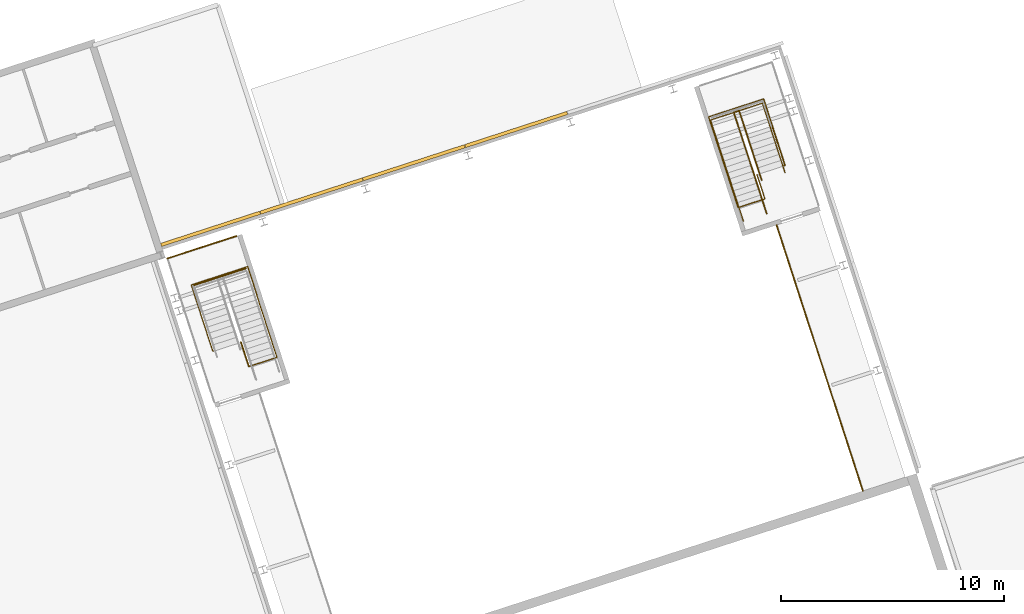
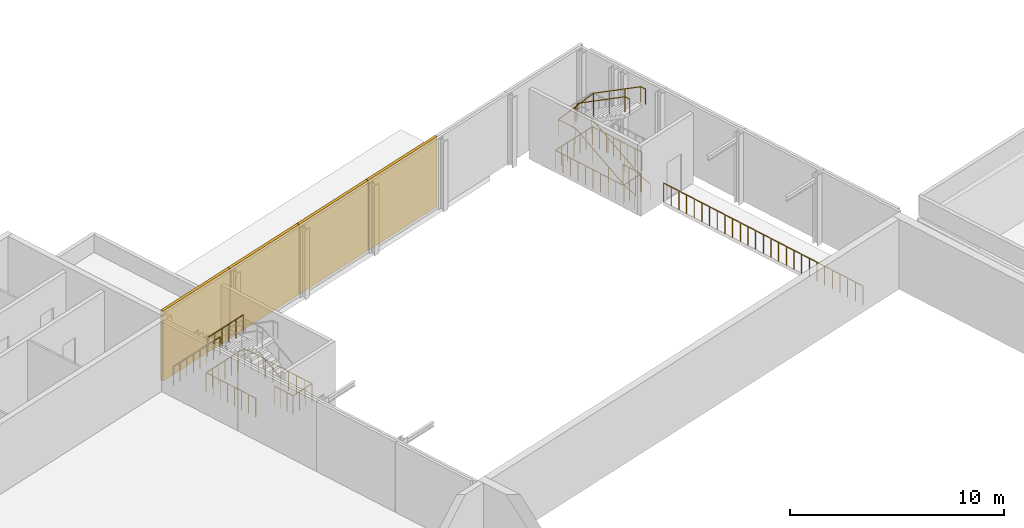
# One storey, part 69 of 72: 9 railings, 4 coverings.
"""IFC4 building model written with IfcOpenShell, lengths in metres."""

from ifc_helpers import new_model, si_unit, direction, frame, origin, origin_2d, place, context, subcontext, project, spatial, polyline, circle, outline, extrude, material, layer, layer_set, type_object, element, save


model = new_model("IFC4")

# Units and contexts
model_context = context("Model", 3, precision=1e-05, world=origin(), true_north=direction((0.0, 1.0)))
body_context = subcontext(model_context, "Body", "Model", "MODEL_VIEW")
ifc_project = project(units=[si_unit("LENGTHUNIT", "METRE"), si_unit("AREAUNIT", "SQUARE_METRE"), si_unit("VOLUMEUNIT", "CUBIC_METRE"), si_unit("PLANEANGLEUNIT", "RADIAN"), si_unit("MASSUNIT", "GRAM", prefix="KILO")], contexts=[model_context])

# Site, building, storey
site_placement = place(None, origin())
site = spatial("IfcSite", under=ifc_project, at=site_placement, CompositionType="ELEMENT")
building_placement = place(site_placement, origin())
building = spatial("IfcBuilding", under=site, at=building_placement, Name="Tuart Plaza Theatre", CompositionType="ELEMENT")
storey_placement = place(building_placement, frame((0.0, 0.0, 13.5)))
storey = spatial("IfcBuildingStorey", under=building, at=storey_placement, Name="L03", CompositionType="ELEMENT", Elevation=13.5)

# Coverings
ifc_material_1 = material(Name="Zinc")
ifc_layer = layer(ifc_material_1, 0.14990234375)
ifc_layer_set = layer_set([ifc_layer], Name="COVERING-ZINC-RAINSCREEN150")
covering_type = type_object("IfcCoveringType", Name="COVERING-ZINC-RAINSCREEN150", PredefinedType="CLADDING", material=ifc_layer_set)
covering_1_placement = place(storey_placement, origin())
element("IfcCovering", 1, at=covering_1_placement, inside=storey, type_object=covering_type, Name="CL16", PredefinedType="CLADDING", context=body_context, shape_type="SweptSolid", body=[
    extrude(outline(polyline([(35.150634765625, 88.18701171875), (39.59521484375, 89.631103515625), (39.6416015625, 89.48828125), (35.197021484375, 88.044189453125), (35.150634765625, 88.18701171875)])), origin(), (0.0, 0.0, 1.0), 4.0),
])
covering_2_placement = place(storey_placement, origin())
element("IfcCovering", 2, at=covering_2_placement, inside=storey, type_object=covering_type, Name="CL17", PredefinedType="CLADDING", context=body_context, shape_type="SweptSolid", body=[
    extrude(outline(polyline([(39.6142578125, 89.63720703125), (44.192138671875, 91.12451171875), (44.23828125, 90.98193359375), (39.66064453125, 89.494384765625), (39.6142578125, 89.63720703125)])), origin(), (0.0, 0.0, 1.0), 4.0),
])
covering_3_placement = place(storey_placement, origin())
element("IfcCovering", 3, at=covering_3_placement, inside=storey, type_object=covering_type, Name="CL18", PredefinedType="CLADDING", context=body_context, shape_type="SweptSolid", body=[
    extrude(outline(polyline([(44.211181640625, 91.130859375), (48.788818359375, 92.6181640625), (48.835205078125, 92.4755859375), (44.25732421875, 90.988037109375), (44.211181640625, 91.130859375)])), origin(), (0.0, 0.0, 1.0), 4.0),
])
covering_4_placement = place(storey_placement, origin())
element("IfcCovering", 4, at=covering_4_placement, inside=storey, type_object=covering_type, Name="CL19", PredefinedType="CLADDING", context=body_context, shape_type="SweptSolid", body=[
    extrude(outline(polyline([(48.807861328125, 92.624267578125), (53.385498046875, 94.11181640625), (53.431884765625, 93.968994140625), (48.854248046875, 92.481689453125), (48.807861328125, 92.624267578125)])), origin(), (0.0, 0.0, 1.0), 4.0),
])

# Railings
ifc_material_2 = material(Name="Steel Grade C350L0", Category="steel")
railing_type_1 = type_object("IfcRailingType", Name="RAILING Guard 1100", PredefinedType="GUARDRAIL", material=ifc_material_2)
railing_1_placement = place(storey_placement, frame((39.114013671875, 82.65576171875, 0.0)))
element("IfcRailing", 5, at=railing_1_placement, inside=storey, type_object=railing_type_1, Name="GR56", PredefinedType="GUARDRAIL", context=body_context, shape_type="SweptSolid", body=[
    extrude(circle(Radius=0.02490234375, at=origin_2d()), frame((0.0, 0.0, 1.0751953125), z_axis=(-0.309181642965, 0.951003002968, 0.0), x_axis=(-0.951003002968, -0.309181642965, 0.0)), (0.0, 0.0, 1.0), 1.1552734375),
    extrude(circle(Radius=0.02001953125, at=origin_2d()), origin(), (0.0, 0.0, 1.0), 1.050048828125),
    extrude(circle(Radius=0.02001953125, at=origin_2d()), frame((-0.119140625, 0.3662109375, 0.0)), (0.0, 0.0, 1.0), 1.050048828125),
    extrude(circle(Radius=0.02001953125, at=origin_2d()), frame((-0.238037109375, 0.732421875, 0.0)), (0.0, 0.0, 1.0), 1.050048828125),
    extrude(circle(Radius=0.02001953125, at=origin_2d()), frame((-0.357177734375, 1.0986328125, 0.0)), (0.0, 0.0, 1.0), 1.050048828125),
])
railing_2_placement = place(storey_placement, frame((37.5380859375, 83.363525390625, 0.0)))
element("IfcRailing", 6, at=railing_2_placement, inside=storey, type_object=railing_type_1, Name="GR57", PredefinedType="GUARDRAIL", context=body_context, shape_type="SweptSolid", body=[
    extrude(circle(Radius=0.02490234375, at=origin_2d()), frame((0.0, 0.0, 1.0751953125), z_axis=(-0.951351351351, -0.308108108108, 0.0), x_axis=(0.308108108108, -0.951351351351, 0.0)), (0.0, 0.0, 1.0), 0.045166015625),
    extrude(circle(Radius=0.02490234375, at=origin_2d()), frame((-0.04296875, -0.013916015625, 1.0751953125), z_axis=(-0.30901175762, 0.951058217804, 0.0), x_axis=(-0.951058217804, -0.30901175762, 0.0)), (0.0, 0.0, 1.0), 3.119873046875),
    extrude(circle(Radius=0.02490234375, at=origin_2d()), frame((-1.007080078125, 2.953369140625, 1.0751953125), z_axis=(0.951065031201, 0.308990786962, 0.0), x_axis=(-0.308990786962, 0.951065031201, 0.0)), (0.0, 0.0, 1.0), 2.6650390625),
    extrude(circle(Radius=0.02490234375, at=origin_2d()), frame((1.527587890625, 3.77685546875, 1.0751953125), z_axis=(0.309115126356, -0.951024625684, 0.0), x_axis=(0.951024625684, 0.309115126356, 0.0)), (0.0, 0.0, 1.0), 1.330078125),
    extrude(circle(Radius=0.02490234375, at=origin_2d()), frame((1.938720703125, 2.511962890625, 1.0751953125), z_axis=(-0.951860557857, -0.306531366089, 0.0), x_axis=(0.306531366089, -0.951860557857, 0.0)), (0.0, 0.0, 1.0), 0.01513671875),
    extrude(circle(Radius=0.02490234375, at=origin_2d()), frame((1.92431640625, 2.50732421875, 1.0751953125), z_axis=(0.309018704887, -0.951055960514, 0.0), x_axis=(0.951055960514, 0.309018704887, 0.0)), (0.0, 0.0, 1.0), 2.949951171875),
    extrude(circle(Radius=0.02490234375, at=origin_2d()), frame((2.8359375, -0.29833984375, 1.0751953125), z_axis=(-0.951051671908, -0.309031903466, 0.0), x_axis=(0.309031903466, -0.951051671908, 0.0)), (0.0, 0.0, 1.0), 1.324951171875),
    extrude(circle(Radius=0.02001953125, at=origin_2d()), origin(), (0.0, 0.0, 1.0), 1.050048828125),
    extrude(circle(Radius=0.02001953125, at=origin_2d()), frame((-0.04296875, -0.013916015625, 0.0)), (0.0, 0.0, 1.0), 1.050048828125),
    extrude(circle(Radius=0.02001953125, at=origin_2d()), frame((-0.1806640625, 0.409912109375, 0.0)), (0.0, 0.0, 1.0), 1.050048828125),
    extrude(circle(Radius=0.02001953125, at=origin_2d()), frame((-0.318359375, 0.833984375, 0.0)), (0.0, 0.0, 1.0), 1.050048828125),
    extrude(circle(Radius=0.02001953125, at=origin_2d()), frame((-0.4560546875, 1.2578125, 0.0)), (0.0, 0.0, 1.0), 1.050048828125),
    extrude(circle(Radius=0.02001953125, at=origin_2d()), frame((-0.593994140625, 1.681640625, 0.0)), (0.0, 0.0, 1.0), 1.050048828125),
    extrude(circle(Radius=0.02001953125, at=origin_2d()), frame((-0.731689453125, 2.10546875, 0.0)), (0.0, 0.0, 1.0), 1.050048828125),
    extrude(circle(Radius=0.02001953125, at=origin_2d()), frame((-0.869384765625, 2.529541015625, 0.0)), (0.0, 0.0, 1.0), 1.050048828125),
    extrude(circle(Radius=0.02001953125, at=origin_2d()), frame((-1.007080078125, 2.953369140625, 0.0)), (0.0, 0.0, 1.0), 1.050048828125),
    extrude(circle(Radius=0.02001953125, at=origin_2d()), frame((-0.584716796875, 3.090576171875, 0.0)), (0.0, 0.0, 1.0), 1.050048828125),
    extrude(circle(Radius=0.02001953125, at=origin_2d()), frame((-0.162109375, 3.227783203125, 0.0)), (0.0, 0.0, 1.0), 1.050048828125),
    extrude(circle(Radius=0.02001953125, at=origin_2d()), frame((0.26025390625, 3.365234375, 0.0)), (0.0, 0.0, 1.0), 1.050048828125),
    extrude(circle(Radius=0.02001953125, at=origin_2d()), frame((0.6826171875, 3.50244140625, 0.0)), (0.0, 0.0, 1.0), 1.050048828125),
    extrude(circle(Radius=0.02001953125, at=origin_2d()), frame((1.105224609375, 3.6396484375, 0.0)), (0.0, 0.0, 1.0), 1.050048828125),
    extrude(circle(Radius=0.02001953125, at=origin_2d()), frame((1.527587890625, 3.77685546875, 0.0)), (0.0, 0.0, 1.0), 1.050048828125),
    extrude(circle(Radius=0.02001953125, at=origin_2d()), frame((1.66455078125, 3.355224609375, 0.0)), (0.0, 0.0, 1.0), 1.050048828125),
    extrude(circle(Radius=0.02001953125, at=origin_2d()), frame((1.8017578125, 2.93359375, 0.0)), (0.0, 0.0, 1.0), 1.050048828125),
    extrude(circle(Radius=0.02001953125, at=origin_2d()), frame((1.938720703125, 2.511962890625, 0.0)), (0.0, 0.0, 1.0), 1.050048828125),
    extrude(circle(Radius=0.02001953125, at=origin_2d()), frame((1.92431640625, 2.50732421875, 0.0)), (0.0, 0.0, 1.0), 1.050048828125),
    extrude(circle(Radius=0.02001953125, at=origin_2d()), frame((2.076171875, 2.039794921875, 0.0)), (0.0, 0.0, 1.0), 1.050048828125),
    extrude(circle(Radius=0.02001953125, at=origin_2d()), frame((2.228271484375, 1.572021484375, 0.0)), (0.0, 0.0, 1.0), 1.050048828125),
    extrude(circle(Radius=0.02001953125, at=origin_2d()), frame((2.380126953125, 1.1044921875, 0.0)), (0.0, 0.0, 1.0), 1.050048828125),
    extrude(circle(Radius=0.02001953125, at=origin_2d()), frame((2.531982421875, 0.636962890625, 0.0)), (0.0, 0.0, 1.0), 1.050048828125),
    extrude(circle(Radius=0.02001953125, at=origin_2d()), frame((2.68408203125, 0.169189453125, 0.0)), (0.0, 0.0, 1.0), 1.050048828125),
    extrude(circle(Radius=0.02001953125, at=origin_2d()), frame((2.8359375, -0.29833984375, 0.0)), (0.0, 0.0, 1.0), 1.050048828125),
    extrude(circle(Radius=0.02001953125, at=origin_2d()), frame((2.416015625, -0.434814453125, 0.0)), (0.0, 0.0, 1.0), 1.050048828125),
    extrude(circle(Radius=0.02001953125, at=origin_2d()), frame((1.995849609375, -0.5712890625, 0.0)), (0.0, 0.0, 1.0), 1.050048828125),
    extrude(circle(Radius=0.02001953125, at=origin_2d()), frame((1.575927734375, -0.707763671875, 0.0)), (0.0, 0.0, 1.0), 1.050048828125),
])
railing_3_placement = place(storey_placement, frame((38.967041015625, 87.055908203125, 2.0)))
element("IfcRailing", 7, at=railing_3_placement, inside=storey, type_object=railing_type_1, Name="GR62", PredefinedType="GUARDRAIL", context=body_context, shape_type="SweptSolid", body=[
    extrude(circle(Radius=0.02490234375, at=origin_2d()), frame((0.0, 0.0, 1.0751953125), z_axis=(-0.951062826572, -0.308997572666, 0.0), x_axis=(0.308997572666, -0.951062826572, 0.0)), (0.0, 0.0, 1.0), 2.4951171875),
    extrude(circle(Radius=0.02001953125, at=origin_2d()), origin(), (0.0, 0.0, 1.0), 1.050048828125),
    extrude(circle(Radius=0.02001953125, at=origin_2d()), frame((-0.474609375, -0.154296875, 0.0)), (0.0, 0.0, 1.0), 1.050048828125),
    extrude(circle(Radius=0.02001953125, at=origin_2d()), frame((-0.94921875, -0.308349609375, 0.0)), (0.0, 0.0, 1.0), 1.050048828125),
    extrude(circle(Radius=0.02001953125, at=origin_2d()), frame((-1.423828125, -0.462646484375, 0.0)), (0.0, 0.0, 1.0), 1.050048828125),
    extrude(circle(Radius=0.02001953125, at=origin_2d()), frame((-1.8984375, -0.61669921875, 0.0)), (0.0, 0.0, 1.0), 1.050048828125),
    extrude(circle(Radius=0.02001953125, at=origin_2d()), frame((-2.373046875, -0.77099609375, 0.0)), (0.0, 0.0, 1.0), 1.050048828125),
])
railing_4_placement = place(storey_placement, frame((62.21435546875, 94.661865234375, 0.0)))
element("IfcRailing", 8, at=railing_4_placement, inside=storey, type_object=railing_type_1, Name="GR80", PredefinedType="GUARDRAIL", context=body_context, shape_type="SweptSolid", body=[
    extrude(circle(Radius=0.02490234375, at=origin_2d()), frame((0.0, 0.0, 1.0751953125), z_axis=(0.30901175762, -0.951058217804, 0.0), x_axis=(0.951058217804, 0.30901175762, 0.0)), (0.0, 0.0, 1.0), 3.119873046875),
    extrude(circle(Radius=0.02490234375, at=origin_2d()), frame((0.964111328125, -2.96728515625, 1.0751953125), z_axis=(-0.950834228174, -0.309700291463, 0.0), x_axis=(0.309700291463, -0.950834228174, 0.0)), (0.0, 0.0, 1.0), 0.044921875),
    extrude(circle(Radius=0.02001953125, at=origin_2d()), origin(), (0.0, 0.0, 1.0), 1.050048828125),
    extrude(circle(Radius=0.02001953125, at=origin_2d()), frame((0.1376953125, -0.423828125, 0.0)), (0.0, 0.0, 1.0), 1.050048828125),
    extrude(circle(Radius=0.02001953125, at=origin_2d()), frame((0.275390625, -0.847900390625, 0.0)), (0.0, 0.0, 1.0), 1.050048828125),
    extrude(circle(Radius=0.02001953125, at=origin_2d()), frame((0.4130859375, -1.271728515625, 0.0)), (0.0, 0.0, 1.0), 1.050048828125),
    extrude(circle(Radius=0.02001953125, at=origin_2d()), frame((0.551025390625, -1.695556640625, 0.0)), (0.0, 0.0, 1.0), 1.050048828125),
    extrude(circle(Radius=0.02001953125, at=origin_2d()), frame((0.688720703125, -2.119384765625, 0.0)), (0.0, 0.0, 1.0), 1.050048828125),
    extrude(circle(Radius=0.02001953125, at=origin_2d()), frame((0.826416015625, -2.54345703125, 0.0)), (0.0, 0.0, 1.0), 1.050048828125),
    extrude(circle(Radius=0.02001953125, at=origin_2d()), frame((0.964111328125, -2.96728515625, 0.0)), (0.0, 0.0, 1.0), 1.050048828125),
    extrude(circle(Radius=0.02001953125, at=origin_2d()), frame((0.92138671875, -2.981201171875, 0.0)), (0.0, 0.0, 1.0), 1.050048828125),
])
railing_5_placement = place(storey_placement, frame((61.919921875, 91.280517578125, 0.0)))
element("IfcRailing", 9, at=railing_5_placement, inside=storey, type_object=railing_type_1, Name="GR81", PredefinedType="GUARDRAIL", context=body_context, shape_type="SweptSolid", body=[
    extrude(circle(Radius=0.02490234375, at=origin_2d()), frame((0.0, 0.0, 1.0751953125), z_axis=(0.308990492345, -0.951065126918, 0.0), x_axis=(0.951065126918, 0.308990492345, 0.0)), (0.0, 0.0, 1.0), 1.1552734375),
    extrude(circle(Radius=0.02490234375, at=origin_2d()), frame((0.35693359375, -1.0986328125, 1.0751953125), z_axis=(-0.95106810125, -0.308981337277, 0.0), x_axis=(0.308981337277, -0.95106810125, 0.0)), (0.0, 0.0, 1.0), 1.26513671875),
    extrude(circle(Radius=0.02490234375, at=origin_2d()), frame((-0.84619140625, -1.489501953125, 1.0751953125), z_axis=(-0.308997073695, 0.951062988686, 0.0), x_axis=(-0.951062988686, -0.308997073695, 0.0)), (0.0, 0.0, 1.0), 4.280029296875),
    extrude(circle(Radius=0.02490234375, at=origin_2d()), frame((-2.168701171875, 2.5810546875, 1.0751953125), z_axis=(0.951059697131, 0.309007204598, 0.0), x_axis=(-0.309007204598, 0.951059697131, 0.0)), (0.0, 0.0, 1.0), 2.58984375),
    extrude(circle(Radius=0.02001953125, at=origin_2d()), origin(), (0.0, 0.0, 1.0), 1.050048828125),
    extrude(circle(Radius=0.02001953125, at=origin_2d()), frame((0.118896484375, -0.3662109375, 0.0)), (0.0, 0.0, 1.0), 1.050048828125),
    extrude(circle(Radius=0.02001953125, at=origin_2d()), frame((0.238037109375, -0.732421875, 0.0)), (0.0, 0.0, 1.0), 1.050048828125),
    extrude(circle(Radius=0.02001953125, at=origin_2d()), frame((0.35693359375, -1.0986328125, 0.0)), (0.0, 0.0, 1.0), 1.050048828125),
    extrude(circle(Radius=0.02001953125, at=origin_2d()), frame((-0.044189453125, -1.22900390625, 0.0)), (0.0, 0.0, 1.0), 1.050048828125),
    extrude(circle(Radius=0.02001953125, at=origin_2d()), frame((-0.445068359375, -1.359130859375, 0.0)), (0.0, 0.0, 1.0), 1.050048828125),
    extrude(circle(Radius=0.02001953125, at=origin_2d()), frame((-0.84619140625, -1.489501953125, 0.0)), (0.0, 0.0, 1.0), 1.050048828125),
    extrude(circle(Radius=0.02001953125, at=origin_2d()), frame((-0.9931640625, -1.037109375, 0.0)), (0.0, 0.0, 1.0), 1.050048828125),
    extrude(circle(Radius=0.02001953125, at=origin_2d()), frame((-1.14013671875, -0.5849609375, 0.0)), (0.0, 0.0, 1.0), 1.050048828125),
    extrude(circle(Radius=0.02001953125, at=origin_2d()), frame((-1.287109375, -0.132568359375, 0.0)), (0.0, 0.0, 1.0), 1.050048828125),
    extrude(circle(Radius=0.02001953125, at=origin_2d()), frame((-1.43408203125, 0.319580078125, 0.0)), (0.0, 0.0, 1.0), 1.050048828125),
    extrude(circle(Radius=0.02001953125, at=origin_2d()), frame((-1.580810546875, 0.77197265625, 0.0)), (0.0, 0.0, 1.0), 1.050048828125),
    extrude(circle(Radius=0.02001953125, at=origin_2d()), frame((-1.727783203125, 1.22412109375, 0.0)), (0.0, 0.0, 1.0), 1.050048828125),
    extrude(circle(Radius=0.02001953125, at=origin_2d()), frame((-1.874755859375, 1.676513671875, 0.0)), (0.0, 0.0, 1.0), 1.050048828125),
    extrude(circle(Radius=0.02001953125, at=origin_2d()), frame((-2.021728515625, 2.128662109375, 0.0)), (0.0, 0.0, 1.0), 1.050048828125),
    extrude(circle(Radius=0.02001953125, at=origin_2d()), frame((-2.168701171875, 2.5810546875, 0.0)), (0.0, 0.0, 1.0), 1.050048828125),
    extrude(circle(Radius=0.02001953125, at=origin_2d()), frame((-1.75830078125, 2.71435546875, 0.0)), (0.0, 0.0, 1.0), 1.050048828125),
    extrude(circle(Radius=0.02001953125, at=origin_2d()), frame((-1.34765625, 2.847900390625, 0.0)), (0.0, 0.0, 1.0), 1.050048828125),
    extrude(circle(Radius=0.02001953125, at=origin_2d()), frame((-0.93701171875, 2.981201171875, 0.0)), (0.0, 0.0, 1.0), 1.050048828125),
    extrude(circle(Radius=0.02001953125, at=origin_2d()), frame((-0.526611328125, 3.114501953125, 0.0)), (0.0, 0.0, 1.0), 1.050048828125),
    extrude(circle(Radius=0.02001953125, at=origin_2d()), frame((-0.1162109375, 3.248046875, 0.0)), (0.0, 0.0, 1.0), 1.050048828125),
    extrude(circle(Radius=0.02001953125, at=origin_2d()), frame((0.29443359375, 3.38134765625, 0.0)), (0.0, 0.0, 1.0), 1.050048828125),
])
railing_6_placement = place(storey_placement, frame((38.555908203125, 88.51513671875, 0.0)))
element("IfcRailing", 10, at=railing_6_placement, inside=storey, type_object=railing_type_1, Name="GR100", PredefinedType="GUARDRAIL", context=body_context, shape_type="SweptSolid", body=[
    extrude(circle(Radius=0.02490234375, at=origin_2d()), frame((0.0, 0.0, 1.0751953125), z_axis=(-0.95107087914, -0.308972786588, 0.0), x_axis=(0.308972786588, -0.95107087914, 0.0)), (0.0, 0.0, 1.0), 3.264892578125),
    extrude(circle(Radius=0.02001953125, at=origin_2d()), origin(), (0.0, 0.0, 1.0), 1.050048828125),
    extrude(circle(Radius=0.02001953125, at=origin_2d()), frame((-0.443603515625, -0.14404296875, 0.0)), (0.0, 0.0, 1.0), 1.050048828125),
    extrude(circle(Radius=0.02001953125, at=origin_2d()), frame((-0.88720703125, -0.288330078125, 0.0)), (0.0, 0.0, 1.0), 1.050048828125),
    extrude(circle(Radius=0.02001953125, at=origin_2d()), frame((-1.330810546875, -0.432373046875, 0.0)), (0.0, 0.0, 1.0), 1.050048828125),
    extrude(circle(Radius=0.02001953125, at=origin_2d()), frame((-1.7744140625, -0.576416015625, 0.0)), (0.0, 0.0, 1.0), 1.050048828125),
    extrude(circle(Radius=0.02001953125, at=origin_2d()), frame((-2.218017578125, -0.720458984375, 0.0)), (0.0, 0.0, 1.0), 1.050048828125),
    extrude(circle(Radius=0.02001953125, at=origin_2d()), frame((-2.66162109375, -0.86474609375, 0.0)), (0.0, 0.0, 1.0), 1.050048828125),
    extrude(circle(Radius=0.02001953125, at=origin_2d()), frame((-3.105224609375, -1.0087890625, 0.0)), (0.0, 0.0, 1.0), 1.050048828125),
])
railing_7_placement = place(storey_placement, frame((66.678955078125, 77.070556640625, 0.0)))
element("IfcRailing", 11, at=railing_7_placement, inside=storey, type_object=railing_type_1, Name="GR118", PredefinedType="GUARDRAIL", context=body_context, shape_type="SweptSolid", body=[
    extrude(circle(Radius=0.02490234375, at=origin_2d()), frame((0.0, 0.0, 1.0751953125), z_axis=(-0.309017011458, 0.951056510744, 0.0), x_axis=(-0.951056510744, -0.309017011458, 0.0)), (0.0, 0.0, 1.0), 12.550048828125),
    extrude(circle(Radius=0.02001953125, at=origin_2d()), origin(), (0.0, 0.0, 1.0), 1.050048828125),
    extrude(circle(Radius=0.02001953125, at=origin_2d()), frame((-0.149169921875, 0.458984375, 0.0)), (0.0, 0.0, 1.0), 1.050048828125),
    extrude(circle(Radius=0.02001953125, at=origin_2d()), frame((-0.29833984375, 0.918212890625, 0.0)), (0.0, 0.0, 1.0), 1.050048828125),
    extrude(circle(Radius=0.02001953125, at=origin_2d()), frame((-0.447509765625, 1.377197265625, 0.0)), (0.0, 0.0, 1.0), 1.050048828125),
    extrude(circle(Radius=0.02001953125, at=origin_2d()), frame((-0.5966796875, 1.836181640625, 0.0)), (0.0, 0.0, 1.0), 1.050048828125),
    extrude(circle(Radius=0.02001953125, at=origin_2d()), frame((-0.745849609375, 2.29541015625, 0.0)), (0.0, 0.0, 1.0), 1.050048828125),
    extrude(circle(Radius=0.02001953125, at=origin_2d()), frame((-0.89501953125, 2.75439453125, 0.0)), (0.0, 0.0, 1.0), 1.050048828125),
    extrude(circle(Radius=0.02001953125, at=origin_2d()), frame((-1.044189453125, 3.21337890625, 0.0)), (0.0, 0.0, 1.0), 1.050048828125),
    extrude(circle(Radius=0.02001953125, at=origin_2d()), frame((-1.193359375, 3.672607421875, 0.0)), (0.0, 0.0, 1.0), 1.050048828125),
    extrude(circle(Radius=0.02001953125, at=origin_2d()), frame((-1.342529296875, 4.131591796875, 0.0)), (0.0, 0.0, 1.0), 1.050048828125),
    extrude(circle(Radius=0.02001953125, at=origin_2d()), frame((-1.49169921875, 4.590576171875, 0.0)), (0.0, 0.0, 1.0), 1.050048828125),
    extrude(circle(Radius=0.02001953125, at=origin_2d()), frame((-1.640869140625, 5.0498046875, 0.0)), (0.0, 0.0, 1.0), 1.050048828125),
    extrude(circle(Radius=0.02001953125, at=origin_2d()), frame((-1.7900390625, 5.5087890625, 0.0)), (0.0, 0.0, 1.0), 1.050048828125),
    extrude(circle(Radius=0.02001953125, at=origin_2d()), frame((-1.93896484375, 5.9677734375, 0.0)), (0.0, 0.0, 1.0), 1.050048828125),
    extrude(circle(Radius=0.02001953125, at=origin_2d()), frame((-2.088134765625, 6.427001953125, 0.0)), (0.0, 0.0, 1.0), 1.050048828125),
    extrude(circle(Radius=0.02001953125, at=origin_2d()), frame((-2.2373046875, 6.885986328125, 0.0)), (0.0, 0.0, 1.0), 1.050048828125),
    extrude(circle(Radius=0.02001953125, at=origin_2d()), frame((-2.386474609375, 7.34521484375, 0.0)), (0.0, 0.0, 1.0), 1.050048828125),
    extrude(circle(Radius=0.02001953125, at=origin_2d()), frame((-2.53564453125, 7.80419921875, 0.0)), (0.0, 0.0, 1.0), 1.050048828125),
    extrude(circle(Radius=0.02001953125, at=origin_2d()), frame((-2.684814453125, 8.26318359375, 0.0)), (0.0, 0.0, 1.0), 1.050048828125),
    extrude(circle(Radius=0.02001953125, at=origin_2d()), frame((-2.833984375, 8.722412109375, 0.0)), (0.0, 0.0, 1.0), 1.050048828125),
    extrude(circle(Radius=0.02001953125, at=origin_2d()), frame((-2.983154296875, 9.181396484375, 0.0)), (0.0, 0.0, 1.0), 1.050048828125),
    extrude(circle(Radius=0.02001953125, at=origin_2d()), frame((-3.13232421875, 9.640380859375, 0.0)), (0.0, 0.0, 1.0), 1.050048828125),
    extrude(circle(Radius=0.02001953125, at=origin_2d()), frame((-3.281494140625, 10.099609375, 0.0)), (0.0, 0.0, 1.0), 1.050048828125),
    extrude(circle(Radius=0.02001953125, at=origin_2d()), frame((-3.4306640625, 10.55859375, 0.0)), (0.0, 0.0, 1.0), 1.050048828125),
    extrude(circle(Radius=0.02001953125, at=origin_2d()), frame((-3.579833984375, 11.017578125, 0.0)), (0.0, 0.0, 1.0), 1.050048828125),
    extrude(circle(Radius=0.02001953125, at=origin_2d()), frame((-3.72900390625, 11.476806640625, 0.0)), (0.0, 0.0, 1.0), 1.050048828125),
    extrude(circle(Radius=0.02001953125, at=origin_2d()), frame((-3.878173828125, 11.935791015625, 0.0)), (0.0, 0.0, 1.0), 1.050048828125),
])
ifc_material_3 = material(Name="Steel Grade C350L0", Category="steel")
railing_type_2 = type_object("IfcRailingType", Name="RAILING Handrail 900", PredefinedType="HANDRAIL", material=ifc_material_3)
railing_8_placement = place(storey_placement, frame((62.36181640625, 89.515625, 0.0)))
element("IfcRailing", 12, at=railing_8_placement, inside=storey, type_object=railing_type_2, Name="HR47", PredefinedType="HANDRAIL", context=body_context, shape_type="SweptSolid", body=[
    extrude(circle(Radius=0.0224609375, at=origin_2d()), frame((0.0, 0.0, 0.87744140625), z_axis=(-0.297609553916, 0.916355108697, 0.267809387779), x_axis=(-0.951096855055, -0.308892816854, 0.0)), (0.0, 0.0, 1.0), 0.62255859375),
    extrude(circle(Radius=0.0224609375, at=origin_2d()), frame((-0.185302734375, 0.570556640625, 1.044189453125), z_axis=(-0.265561944864, 0.817255136299, 0.511440021541), x_axis=(-0.951049794196, -0.309037682104, 0.0)), (0.0, 0.0, 1.0), 3.58447265625),
    extrude(circle(Radius=0.0224609375, at=origin_2d()), frame((-1.13720703125, 3.5, 2.87744140625), z_axis=(-0.308960600764, 0.951074837842, 0.0), x_axis=(-0.951074837842, -0.308960600764, 0.0)), (0.0, 0.0, 1.0), 1.099853515625),
    extrude(circle(Radius=0.0224609375, at=origin_2d()), frame((-1.47705078125, 4.546142578125, 2.87744140625), z_axis=(0.705499316443, 0.228888895273, 0.670731382984), x_axis=(-0.308600224758, 0.951191832008, 0.0)), (0.0, 0.0, 1.0), 0.337158203125),
    extrude(circle(Radius=0.0224609375, at=origin_2d()), frame((-1.2392578125, 4.623291015625, 3.103515625), z_axis=(0.265533988883, -0.817228016156, 0.511497869359), x_axis=(0.951056341824, 0.309017531343, 0.0)), (0.0, 0.0, 1.0), 3.468017578125),
    extrude(circle(Radius=0.0224609375, at=origin_2d()), frame((-0.318359375, 1.7890625, 4.87744140625), z_axis=(0.309380609282, -0.950938293792, 0.0), x_axis=(0.950938293792, 0.309380609282, 0.0)), (0.0, 0.0, 1.0), 0.2998046875),
    extrude(circle(Radius=0.01513671875, at=origin_2d()), origin(), (0.0, 0.0, 1.0), 0.85498046875),
    extrude(circle(Radius=0.01513671875, at=origin_2d()), frame((-0.185302734375, 0.570556640625, 0.166748046875)), (0.0, 0.0, 1.0), 0.85498046875),
    extrude(circle(Radius=0.01513671875, at=origin_2d()), frame((-0.502685546875, 1.547119140625, 0.77783203125)), (0.0, 0.0, 1.0), 0.85498046875),
    extrude(circle(Radius=0.01513671875, at=origin_2d()), frame((-0.81982421875, 2.5234375, 1.388916015625)), (0.0, 0.0, 1.0), 0.85498046875),
    extrude(circle(Radius=0.01513671875, at=origin_2d()), frame((-1.13720703125, 3.5, 2.0)), (0.0, 0.0, 1.0), 0.85498046875),
    extrude(circle(Radius=0.01513671875, at=origin_2d()), frame((-1.47705078125, 4.546142578125, 2.0)), (0.0, 0.0, 1.0), 0.85498046875),
    extrude(circle(Radius=0.01513671875, at=origin_2d()), frame((-1.2392578125, 4.623291015625, 2.22607421875)), (0.0, 0.0, 1.0), 0.85498046875),
    extrude(circle(Radius=0.01513671875, at=origin_2d()), frame((-0.932373046875, 3.678466796875, 2.8173828125)), (0.0, 0.0, 1.0), 0.85498046875),
    extrude(circle(Radius=0.01513671875, at=origin_2d()), frame((-0.625244140625, 2.73388671875, 3.40869140625)), (0.0, 0.0, 1.0), 0.85498046875),
    extrude(circle(Radius=0.01513671875, at=origin_2d()), frame((-0.318359375, 1.7890625, 4.0)), (0.0, 0.0, 1.0), 0.85498046875),
    extrude(circle(Radius=0.01513671875, at=origin_2d()), frame((-0.2255859375, 1.50390625, 4.0)), (0.0, 0.0, 1.0), 0.85498046875),
])
railing_9_placement = place(storey_placement, frame((61.315673828125, 89.17578125, 0.0)))
element("IfcRailing", 13, at=railing_9_placement, inside=storey, type_object=railing_type_2, Name="HR48", PredefinedType="HANDRAIL", context=body_context, shape_type="SweptSolid", body=[
    extrude(circle(Radius=0.0224609375, at=origin_2d()), frame((0.0, 0.0, 0.87744140625), z_axis=(-0.297609553916, 0.916355108697, 0.267809387779), x_axis=(-0.951096855055, -0.308892816854, 0.0)), (0.0, 0.0, 1.0), 0.62255859375),
    extrude(circle(Radius=0.0224609375, at=origin_2d()), frame((-0.185302734375, 0.570556640625, 1.044189453125), z_axis=(-0.265576727582, 0.817232515395, 0.511468491257), x_axis=(-0.951042223598, -0.309060979314, 0.0)), (0.0, 0.0, 1.0), 3.584228515625),
    extrude(circle(Radius=0.0224609375, at=origin_2d()), frame((-1.13720703125, 3.499755859375, 2.87744140625), z_axis=(-0.308960600764, 0.951074837842, 0.0), x_axis=(-0.951074837842, -0.308960600764, 0.0)), (0.0, 0.0, 1.0), 1.099853515625),
    extrude(circle(Radius=0.0224609375, at=origin_2d()), frame((-1.47705078125, 4.5458984375, 2.87744140625), z_axis=(0.947034141024, 0.307706713256, 0.091885332627), x_axis=(-0.309013967595, 0.95105749975, 0.0)), (0.0, 0.0, 1.0), 2.46044921875),
    extrude(circle(Radius=0.0224609375, at=origin_2d()), frame((0.85302734375, 5.302978515625, 3.103515625), z_axis=(0.265549265619, -0.817204632901, 0.511527296921), x_axis=(0.951048517831, 0.309041610033, 0.0)), (0.0, 0.0, 1.0), 3.468017578125),
    extrude(circle(Radius=0.0224609375, at=origin_2d()), frame((1.77392578125, 2.468994140625, 4.87744140625), z_axis=(0.309141257546, -0.951016131768, 0.0), x_axis=(0.951016131768, 0.309141257546, 0.0)), (0.0, 0.0, 1.0), 0.300048828125),
    extrude(circle(Radius=0.01513671875, at=origin_2d()), origin(), (0.0, 0.0, 1.0), 0.85498046875),
    extrude(circle(Radius=0.01513671875, at=origin_2d()), frame((-0.185302734375, 0.570556640625, 0.166748046875)), (0.0, 0.0, 1.0), 0.85498046875),
    extrude(circle(Radius=0.01513671875, at=origin_2d()), frame((-0.502685546875, 1.546875, 0.77783203125)), (0.0, 0.0, 1.0), 0.85498046875),
    extrude(circle(Radius=0.01513671875, at=origin_2d()), frame((-0.81982421875, 2.5234375, 1.388916015625)), (0.0, 0.0, 1.0), 0.85498046875),
    extrude(circle(Radius=0.01513671875, at=origin_2d()), frame((-1.13720703125, 3.499755859375, 2.0)), (0.0, 0.0, 1.0), 0.85498046875),
    extrude(circle(Radius=0.01513671875, at=origin_2d()), frame((-1.47705078125, 4.5458984375, 2.0)), (0.0, 0.0, 1.0), 0.85498046875),
    extrude(circle(Radius=0.01513671875, at=origin_2d()), frame((-0.31201171875, 4.92431640625, 2.113037109375)), (0.0, 0.0, 1.0), 0.85498046875),
    extrude(circle(Radius=0.01513671875, at=origin_2d()), frame((0.85302734375, 5.302978515625, 2.22607421875)), (0.0, 0.0, 1.0), 0.85498046875),
    extrude(circle(Radius=0.01513671875, at=origin_2d()), frame((1.159912109375, 4.3583984375, 2.8173828125)), (0.0, 0.0, 1.0), 0.85498046875),
    extrude(circle(Radius=0.01513671875, at=origin_2d()), frame((1.467041015625, 3.41357421875, 3.40869140625)), (0.0, 0.0, 1.0), 0.85498046875),
    extrude(circle(Radius=0.01513671875, at=origin_2d()), frame((1.77392578125, 2.468994140625, 4.0)), (0.0, 0.0, 1.0), 0.85498046875),
    extrude(circle(Radius=0.01513671875, at=origin_2d()), frame((1.86669921875, 2.18359375, 4.0)), (0.0, 0.0, 1.0), 0.85498046875),
])

save(model, "model.ifc")
